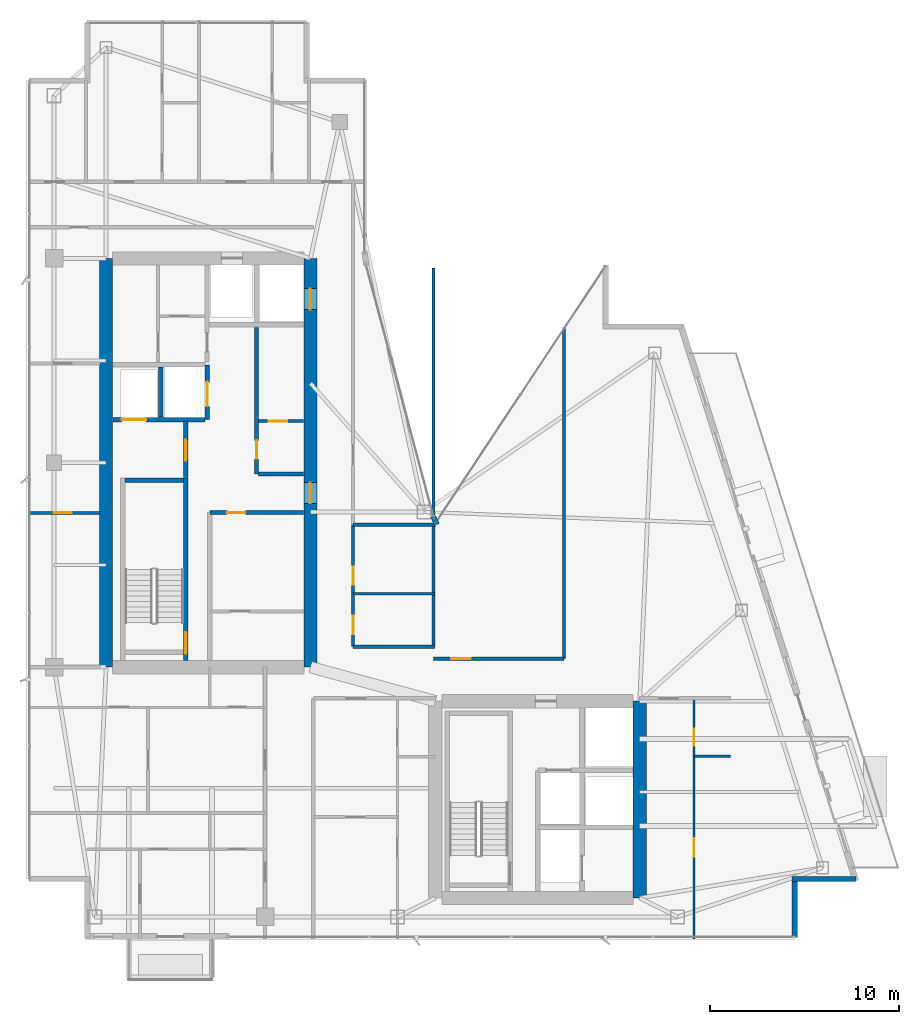
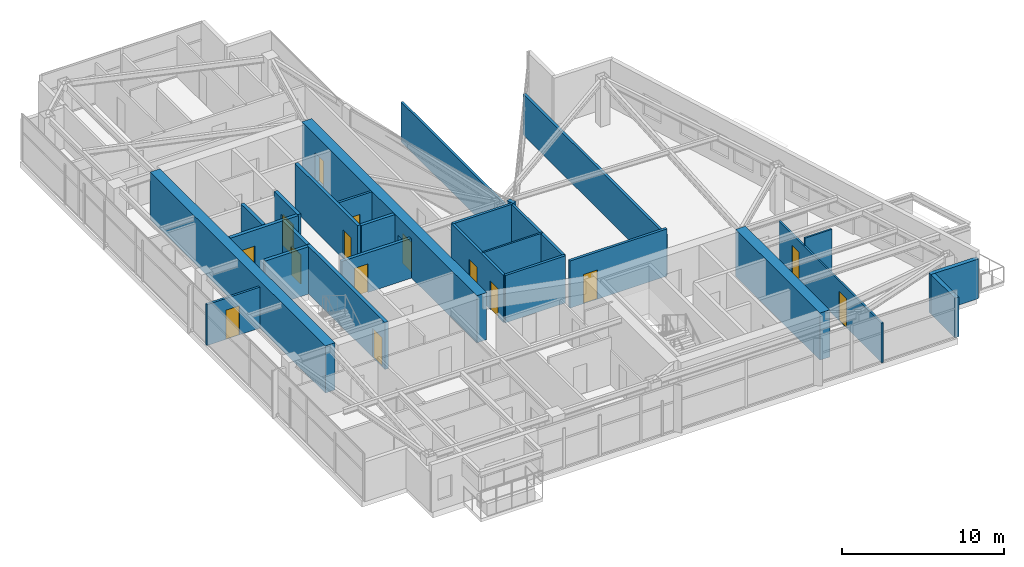
# One storey, part 24 of 28: 27 walls, 15 doors, 15 openings.
"""IFC4 building model written with IfcOpenShell, lengths in metres."""

import ifcopenshell
import ifcopenshell.guid

model = None  # the IFC model being written
_history = None  # IfcOwnerHistory: only IFC2X3 demands one
_inside = {}  # id of a spatial element -> (the spatial element, [elements in it])
_under = {}  # id of a project, library or spatial element -> (it, [spatial elements below it])
_declared = {}  # id of a project -> (the project, [libraries it declares])
_typed = {}  # id of a type object -> (the type object, [elements of that type])
_made_of = {}  # id of a material, layer set ... -> (it, [elements and type objects made of it])


def new_model(schema):
    """Start an empty IFC model of exactly this schema.

    Asked for "IFC4X3", IfcOpenShell would pick the latest addendum, in which some entities
    have other attributes; the version numbers below select the first issue.
    IFC2X3 requires an IfcOwnerHistory on every rooted entity: one is made here for all.
    """
    global model, _history
    if schema == "IFC4X3":
        model = ifcopenshell.file(schema_version=(4, 3, 0, 0))
    else:
        model = ifcopenshell.file(schema=schema)
    _inside.clear()
    _under.clear()
    _declared.clear()
    _typed.clear()
    _made_of.clear()
    _history = None
    if model.schema == "IFC2X3":
        org = make("IfcOrganization", Name="unknown")
        user = make(
            "IfcPersonAndOrganization",
            ThePerson=make("IfcPerson", FamilyName="unknown"),
            TheOrganization=org,
        )
        app = make(
            "IfcApplication",
            ApplicationDeveloper=org,
            Version="unknown",
            ApplicationFullName="unknown",
            ApplicationIdentifier="unknown",
        )
        _history = make(
            "IfcOwnerHistory",
            OwningUser=user,
            OwningApplication=app,
            ChangeAction="ADDED",
            CreationDate=0,
        )
    return model


def make(cls, **values):
    """One entity of the class cls with the attributes given. An attribute that is None is left unset."""
    return model.create_entity(
        cls, **{name: value for name, value in values.items() if value is not None}
    )


def rooted(cls, **values):
    """An entity with a GlobalId (a new one), such as an element, a storey or a relation."""
    return make(cls, GlobalId=ifcopenshell.guid.new(), OwnerHistory=_history, **values)


def si_unit(unit_type, name, prefix=None):
    """IfcSIUnit, for example si_unit("LENGTHUNIT", "METRE", prefix="MILLI")."""
    return make("IfcSIUnit", UnitType=unit_type, Prefix=prefix, Name=name)


def assignment(units):
    """IfcUnitAssignment: the units of a project."""
    return None if units is None else make("IfcUnitAssignment", Units=units)


def point(xyz):
    """IfcCartesianPoint."""
    return None if xyz is None else make("IfcCartesianPoint", Coordinates=xyz)


def direction(xyz):
    """IfcDirection."""
    return None if xyz is None else make("IfcDirection", DirectionRatios=xyz)


def frame(location, z_axis=None, x_axis=None):
    """IfcAxis2Placement3D, a coordinate frame: its origin and axes. An axis left out is left unset."""
    return make(
        "IfcAxis2Placement3D",
        Location=point(location),
        Axis=direction(z_axis),
        RefDirection=direction(x_axis),
    )


def frame_2d(location, x_axis=None):
    """IfcAxis2Placement2D, a coordinate frame in the plane: its origin and x axis."""
    return make(
        "IfcAxis2Placement2D", Location=point(location), RefDirection=direction(x_axis)
    )


def origin():
    """The frame at (0, 0, 0) with its axes left unset."""
    return frame((0.0, 0.0, 0.0))


def place(relative_to, where):
    """IfcLocalPlacement: puts the frame where relative to a parent placement (None: the world)."""
    return make(
        "IfcLocalPlacement", PlacementRelTo=relative_to, RelativePlacement=where
    )


def context(
    kind, dimensions, precision=None, world=None, true_north=None, identifier=None
):
    """IfcGeometricRepresentationContext, for example the 3D "Model" context."""
    return make(
        "IfcGeometricRepresentationContext",
        ContextIdentifier=identifier,
        ContextType=kind,
        CoordinateSpaceDimension=dimensions,
        Precision=precision,
        WorldCoordinateSystem=world,
        TrueNorth=true_north,
    )


def subcontext(parent, identifier, kind, view, scale=None):
    """IfcGeometricRepresentationSubContext, for example "Body" below "Model"."""
    return make(
        "IfcGeometricRepresentationSubContext",
        ContextIdentifier=identifier,
        ContextType=kind,
        ParentContext=parent,
        TargetScale=scale,
        TargetView=view,
    )


def project(units=None, contexts=None):
    """IfcProject with its units and contexts."""
    return rooted(
        "IfcProject",
        Name="project",
        RepresentationContexts=contexts,
        UnitsInContext=assignment(units),
    )


def spatial(cls, under=None, at=None, **own):
    """A site, building, storey or space (cls), placed at a placement, below another one or the project."""
    s = rooted(cls, ObjectPlacement=at, **own)
    if under is not None:
        _under.setdefault(under.id(), (under, []))[1].append(s)
    return s


def profile(cls, at=None, kind="AREA", **sizes):
    """A parametric profile (cls). Its sizes go by their IFC names, for example OverallWidth=200.0."""
    return make(cls, ProfileType=kind, Position=at, **sizes)


def rectangle(**sizes):
    """IfcRectangleProfileDef."""
    return profile("IfcRectangleProfileDef", **sizes)


def extrude(swept, where, along, depth):
    """IfcExtrudedAreaSolid: the profile swept, set in the frame where, extruded along a direction by depth."""
    return make(
        "IfcExtrudedAreaSolid",
        SweptArea=swept,
        Position=where,
        ExtrudedDirection=direction(along),
        Depth=depth,
    )


def shape(context_of_items, identifier, shape_type, items):
    """IfcShapeRepresentation: the items that make up one representation, for example the "Body"."""
    return make(
        "IfcShapeRepresentation",
        ContextOfItems=context_of_items,
        RepresentationIdentifier=identifier,
        RepresentationType=shape_type,
        Items=items,
    )


def material(Name=None, Category=None):
    """IfcMaterial."""
    return make("IfcMaterial", Name=Name, Category=Category)


def layer(
    of_material, thickness, ventilated=None, Name=None, Category=None, Priority=None
):
    """IfcMaterialLayer: one layer of a wall or slab, of a material (None: an air gap)."""
    return make(
        "IfcMaterialLayer",
        Material=of_material,
        LayerThickness=thickness,
        IsVentilated=ventilated,
        Name=Name,
        Category=Category,
        Priority=Priority,
    )


def layer_set(layers, Name=None):
    """IfcMaterialLayerSet."""
    return make("IfcMaterialLayerSet", MaterialLayers=layers, LayerSetName=Name)


def made_of(thing, what):
    """Note that an element or type object is made of a material, layer set ...; save() writes the relation."""
    if what is not None:
        _made_of.setdefault(what.id(), (what, []))[1].append(thing)
    return thing


def type_object(cls, material=None, **own):
    """A type object (cls), such as IfcWallType, which elements share."""
    return made_of(rooted(cls, **own), material)


def element(
    cls,
    number,
    at=None,
    inside=None,
    cuts=None,
    type_object=None,
    material=None,
    context=None,
    identifier="Body",
    shape_type=None,
    held_by="IfcProductDefinitionShape",
    body=None,
    shapes=None,
    **own,
):
    """One element of the class cls, such as IfcWall. Its Tag is "e" and its number.

    at: its placement. inside: the storey or other place that contains it. cuts: it is an
    opening in that element (IfcRelVoidsElement). A single representation is given by context,
    identifier, shape_type and body (its items); several are given by shapes. held_by: the class
    of the entity that holds the representations. save() writes the other relations.
    """
    e = rooted(cls, Tag="e%d" % number, ObjectPlacement=at, **own)
    if body is not None:
        shapes = [shape(context, identifier, shape_type, body)]
    if shapes is not None:
        e.Representation = make(held_by, Representations=shapes)
    if inside is not None:
        _inside.setdefault(inside.id(), (inside, []))[1].append(e)
    if cuts is not None:
        rooted(
            "IfcRelVoidsElement", RelatingBuildingElement=cuts, RelatedOpeningElement=e
        )
    if type_object is not None:
        _typed.setdefault(type_object.id(), (type_object, []))[1].append(e)
    return made_of(e, material)


def fill(opening, filler):
    """IfcRelFillsElement: the door or window that sits in an opening."""
    return rooted(
        "IfcRelFillsElement",
        RelatingOpeningElement=opening,
        RelatedBuildingElement=filler,
    )


def aggregate(whole, parts):
    """IfcRelAggregates: a whole, such as a stair, and the parts it consists of."""
    return rooted("IfcRelAggregates", RelatingObject=whole, RelatedObjects=parts)


def save(model, path):
    """Write the relations noted so far, then the file.

    IfcRelAggregates (storeys below a building ...), IfcRelContainedInSpatialStructure (elements
    in a storey), IfcRelDefinesByType, IfcRelAssociatesMaterial and IfcRelDeclares: one each for
    every whole, place, type object, material and project.
    """
    for whole, parts in _under.values():
        aggregate(whole, parts)
    for where, things in _inside.values():
        rooted(
            "IfcRelContainedInSpatialStructure",
            RelatedElements=things,
            RelatingStructure=where,
        )
    for kind, things in _typed.values():
        rooted("IfcRelDefinesByType", RelatedObjects=things, RelatingType=kind)
    for what, things in _made_of.values():
        rooted("IfcRelAssociatesMaterial", RelatedObjects=things, RelatingMaterial=what)
    for by, libraries in _declared.values():
        rooted("IfcRelDeclares", RelatingContext=by, RelatedDefinitions=libraries)
    model.write(path)


model = new_model("IFC4")

# Units and contexts
model_context = context("Model", 3, precision=1e-05, world=origin(), true_north=direction((0.0, 1.0)))
body_context = subcontext(model_context, "Body", "Model", "MODEL_VIEW")
ifc_project = project(units=[si_unit("LENGTHUNIT", "METRE"), si_unit("AREAUNIT", "SQUARE_METRE"), si_unit("VOLUMEUNIT", "CUBIC_METRE"), si_unit("PLANEANGLEUNIT", "RADIAN"), si_unit("MASSUNIT", "GRAM", prefix="KILO")], contexts=[model_context])

# Site, building, storey
site_placement = place(None, origin())
site = spatial("IfcSite", under=ifc_project, at=site_placement, CompositionType="ELEMENT")
building_placement = place(site_placement, origin())
building = spatial("IfcBuilding", under=site, at=building_placement, Name="Calvorn Quay Hotel", CompositionType="ELEMENT")
storey_placement = place(building_placement, frame((0.0, 0.0, 263.5)))
storey = spatial("IfcBuildingStorey", under=building, at=storey_placement, Name="L65", CompositionType="ELEMENT", Elevation=263.5)

# Wall
ifc_material_1 = material(Name="Concrete C45", Category="concrete")
ifc_layer_1 = layer(ifc_material_1, 0.699951171875)
ifc_layer_set_1 = layer_set([ifc_layer_1], Name="WL-CORE-700")
wall_type_1 = type_object("IfcWallType", Name="WL-CORE-700", PredefinedType="SHEAR", material=ifc_layer_set_1)
wall_1_placement = place(storey_placement, frame((4.199951171875, 16.800048828125, 0.0), z_axis=(0.0, 0.0, 1.0), x_axis=(0.0, 1.0, 0.0)))
element("IfcWall", 1, at=wall_1_placement, inside=storey, type_object=wall_type_1, Name="West Core Shear Wall W (L65)", PredefinedType="SHEAR", context=body_context, shape_type="SweptSolid", body=[
    extrude(rectangle(XDim=21.599853515625, YDim=0.699951171875, at=frame_2d((10.7998046875, 0.0))), origin(), (0.0, 0.0, 1.0), 3.56005859375),
])

# Wall, openings, doors
wall_2_placement = place(storey_placement, frame((15.0, 16.800048828125, 0.0), z_axis=(0.0, 0.0, 1.0), x_axis=(0.0, 1.0, 0.0)))
wall_2 = element("IfcWall", 2, at=wall_2_placement, inside=storey, type_object=wall_type_1, Name="West Core Shear Wall E (L65)", PredefinedType="SHEAR", context=body_context, shape_type="SweptSolid", body=[
    extrude(rectangle(XDim=21.599853515625, YDim=0.699951171875, at=frame_2d((10.7998046875, 0.0))), origin(), (0.0, 0.0, 1.0), 3.56005859375),
])
opening_1_placement = place(wall_2_placement, frame((8.64990234375, 0.0, 0.0)))
opening_1 = element("IfcOpeningElement", 3, at=opening_1_placement, cuts=wall_2, Name="Opening D-L65-CW1", PredefinedType="OPENING", context=body_context, shape_type="SweptSolid", body=[
    extrude(rectangle(XDim=1.10009765625, YDim=2.199951171875, at=frame_2d((0.550048828125, 1.10009765625))), frame((0.0, 0.35986328125, 0.0), z_axis=(0.0, -1.0, 0.0), x_axis=(1.0, 0.0, 0.0)), (0.0, 0.0, 1.0), 0.719970703125),
])
opening_2_placement = place(wall_2_placement, frame((18.89990234375, 0.0, 0.0)))
opening_2 = element("IfcOpeningElement", 4, at=opening_2_placement, cuts=wall_2, Name="Opening LD-L65-H1", PredefinedType="OPENING", context=body_context, shape_type="SweptSolid", body=[
    extrude(rectangle(XDim=1.10009765625, YDim=2.199951171875, at=frame_2d((0.550048828125, 1.10009765625))), frame((0.0, 0.35986328125, 0.0), z_axis=(0.0, -1.0, 0.0), x_axis=(1.0, 0.0, 0.0)), (0.0, 0.0, 1.0), 0.719970703125),
])
ifc_material_2 = material(Name="Smoke-Sealed Steel Class A Fire Door", Category="steel")
door_type_1 = type_object("IfcDoorType", Name="DR-FFLOBBY-1100", OperationType="NOTDEFINED", PredefinedType="DOOR", material=ifc_material_2)
door_1_placement = place(opening_1_placement, origin())
door_1 = element("IfcDoor", 5, at=door_1_placement, inside=storey, type_object=door_type_1, Name="West Core Vestibule Fire Door (L65)", OperationType="SINGLE_SWING_RIGHT", OverallHeight=2.199951171875, OverallWidth=1.10009765625, PredefinedType="DOOR", context=body_context, shape_type="SweptSolid", body=[
    extrude(rectangle(XDim=1.10009765625, YDim=2.199951171875, at=frame_2d((0.550048828125, 1.10009765625))), frame((0.0, 0.02490234375, 0.0), z_axis=(0.0, -1.0, 0.0), x_axis=(1.0, 0.0, 0.0)), (0.0, 0.0, 1.0), 0.050048828125),
])
fill(opening_1, door_1)
ifc_material_3 = material(Name="Brushed Stainless Steel Sliding Lift Landing Door", Category="steel")
door_type_2 = type_object("IfcDoorType", Name="DR-LIFT-PASS-1100", OperationType="NOTDEFINED", PredefinedType="DOOR", material=ifc_material_3)
door_2_placement = place(opening_2_placement, origin())
door_2 = element("IfcDoor", 6, at=door_2_placement, inside=storey, type_object=door_type_2, Name="High-Rise Lift PL-H1 Landing Door (L65)", OperationType="DOUBLE_DOOR_SLIDING", OverallHeight=2.199951171875, OverallWidth=1.10009765625, PredefinedType="DOOR", context=body_context, shape_type="SweptSolid", body=[
    extrude(rectangle(XDim=1.10009765625, YDim=2.199951171875, at=frame_2d((0.550048828125, 1.10009765625))), frame((0.0, 0.02490234375, 0.0), z_axis=(0.0, -1.0, 0.0), x_axis=(1.0, 0.0, 0.0)), (0.0, 0.0, 1.0), 0.050048828125),
])
fill(opening_2, door_2)

# Walls
wall_3_placement = place(storey_placement, frame((32.39990234375, 4.60009765625, 0.0), z_axis=(0.0, 0.0, 1.0), x_axis=(0.0, 1.0, 0.0)))
element("IfcWall", 7, at=wall_3_placement, inside=storey, type_object=wall_type_1, Name="East Core Shear Wall E (L65)", PredefinedType="SHEAR", context=body_context, shape_type="SweptSolid", body=[
    extrude(rectangle(XDim=10.39990234375, YDim=0.699951171875, at=frame_2d((5.199951171875, 0.0))), origin(), (0.0, 0.0, 1.0), 3.56005859375),
])
ifc_material_4 = material(Name="Acoustic Fireboard Steel-Stud Partition", Category="steel")
ifc_layer_2 = layer(ifc_material_4, 0.179931640625)
ifc_layer_set_2 = layer_set([ifc_layer_2], Name="WL-CORR-FIRE-180")
wall_type_2 = type_object("IfcWallType", Name="WL-CORR-FIRE-180", PredefinedType="PARTITIONING", material=ifc_layer_set_2)
wall_4_placement = place(storey_placement, frame((17.25, 17.8798828125, 0.0), z_axis=(0.0, 0.0, 1.0), x_axis=(1.0, 0.0, 0.0)))
element("IfcWall", 8, at=wall_4_placement, inside=storey, type_object=wall_type_2, Name="Partition Wall L65-WL-HK-S", PredefinedType="PARTITIONING", context=body_context, shape_type="SweptSolid", body=[
    extrude(rectangle(XDim=4.300048828125, YDim=0.179931640625, at=frame_2d((2.14990234375, 0.0))), origin(), (0.0, 0.0, 1.0), 3.56005859375),
])
wall_5_placement = place(storey_placement, frame((17.25, 24.320068359375, 0.0), z_axis=(0.0, 0.0, 1.0), x_axis=(1.0, 0.0, 0.0)))
element("IfcWall", 9, at=wall_5_placement, inside=storey, type_object=wall_type_2, Name="Partition Wall L65-WL-HK-N", PredefinedType="PARTITIONING", context=body_context, shape_type="SweptSolid", body=[
    extrude(rectangle(XDim=4.35009765625, YDim=0.179931640625, at=frame_2d((2.175048828125, 0.0))), origin(), (0.0, 0.0, 1.0), 3.56005859375),
])
wall_6_placement = place(storey_placement, frame((21.5, 17.8798828125, 0.0), z_axis=(0.0, 0.0, 1.0), x_axis=(0.0, 1.0, 0.0)))
element("IfcWall", 10, at=wall_6_placement, inside=storey, type_object=wall_type_2, Name="Partition Wall L65-WL-HK-E", PredefinedType="PARTITIONING", context=body_context, shape_type="SweptSolid", body=[
    extrude(rectangle(XDim=6.440185546875, YDim=0.179931640625, at=frame_2d((3.22021484375, 0.0))), origin(), (0.0, 0.0, 1.0), 3.56005859375),
])

# Wall, openings, doors
wall_7_placement = place(storey_placement, frame((17.25, 17.8798828125, 0.0), z_axis=(0.0, 0.0, 1.0), x_axis=(0.0, 1.0, 0.0)))
wall_7 = element("IfcWall", 11, at=wall_7_placement, inside=storey, type_object=wall_type_2, Name="Partition Wall L65-WL-HK-W", PredefinedType="PARTITIONING", context=body_context, shape_type="SweptSolid", body=[
    extrude(rectangle(XDim=6.440185546875, YDim=0.179931640625, at=frame_2d((3.22021484375, 0.0))), origin(), (0.0, 0.0, 1.0), 3.56005859375),
])
opening_3_placement = place(wall_7_placement, frame((0.64990234375, 0.0, 0.0)))
opening_3 = element("IfcOpeningElement", 12, at=opening_3_placement, cuts=wall_7, Name="Opening D-L65-HK", PredefinedType="OPENING", context=body_context, shape_type="SweptSolid", body=[
    extrude(rectangle(XDim=0.97998046875, YDim=2.14990234375, at=frame_2d((0.489990234375, 1.074951171875))), frame((0.0, 0.099853515625, 0.0), z_axis=(0.0, -1.0, 0.0), x_axis=(1.0, 0.0, 0.0)), (0.0, 0.0, 1.0), 0.199951171875),
])
opening_4_placement = place(wall_7_placement, frame((3.27001953125, 0.0, 0.0)))
opening_4 = element("IfcOpeningElement", 13, at=opening_4_placement, cuts=wall_7, Name="Opening D-L65-NCP", PredefinedType="OPENING", context=body_context, shape_type="SweptSolid", body=[
    extrude(rectangle(XDim=0.9599609375, YDim=2.199951171875, at=frame_2d((0.47998046875, 1.10009765625))), frame((0.0, 0.099853515625, 0.0), z_axis=(0.0, -1.0, 0.0), x_axis=(1.0, 0.0, 0.0)), (0.0, 0.0, 1.0), 0.199951171875),
])
ifc_material_5 = material(Name="Painted Steel Housekeeping/Riser Fire Door", Category="steel")
door_type_3 = type_object("IfcDoorType", Name="DR-SERVICE-980", OperationType="NOTDEFINED", PredefinedType="DOOR", material=ifc_material_5)
door_3_placement = place(opening_3_placement, origin())
door_3 = element("IfcDoor", 14, at=door_3_placement, inside=storey, type_object=door_type_3, Name="Floor Housekeeping Door (L65)", OperationType="SINGLE_SWING_LEFT", OverallHeight=2.14990234375, OverallWidth=0.97998046875, PredefinedType="DOOR", context=body_context, shape_type="SweptSolid", body=[
    extrude(rectangle(XDim=0.97998046875, YDim=2.14990234375, at=frame_2d((0.489990234375, 1.074951171875))), frame((0.0, 0.02490234375, 0.0), z_axis=(0.0, -1.0, 0.0), x_axis=(1.0, 0.0, 0.0)), (0.0, 0.0, 1.0), 0.050048828125),
])
fill(opening_3, door_3)
ifc_material_6 = material(Name="Solid Timber Internal Suite Door", Category="wood")
door_type_4 = type_object("IfcDoorType", Name="DR-SUITE-INT-960", OperationType="NOTDEFINED", PredefinedType="DOOR", material=ifc_material_6)
door_4_placement = place(opening_4_placement, origin())
door_4 = element("IfcDoor", 15, at=door_4_placement, inside=storey, type_object=door_type_4, Name="Reading Alcove Door (L65)", OperationType="SINGLE_SWING_RIGHT", OverallHeight=2.199951171875, OverallWidth=0.9599609375, PredefinedType="DOOR", context=body_context, shape_type="SweptSolid", body=[
    extrude(rectangle(XDim=0.9599609375, YDim=2.199951171875, at=frame_2d((0.47998046875, 1.10009765625))), frame((0.0, 0.02490234375, 0.0), z_axis=(0.0, -1.0, 0.0), x_axis=(1.0, 0.0, 0.0)), (0.0, 0.0, 1.0), 0.050048828125),
])
fill(opening_4, door_4)

# Wall, opening, door
wall_8_placement = place(storey_placement, frame((21.5, 17.25, 0.0), z_axis=(0.0, 0.0, 1.0), x_axis=(1.0, 0.0, 0.0)))
wall_8 = element("IfcWall", 16, at=wall_8_placement, inside=storey, type_object=wall_type_2, Name="Partition Wall L65-WL-CORR-NE-N", PredefinedType="PARTITIONING", context=body_context, shape_type="SweptSolid", body=[
    extrude(rectangle(XDim=6.89990234375, YDim=0.179931640625, at=frame_2d((3.449951171875, 0.0))), origin(), (0.0, 0.0, 1.0), 3.56005859375),
])
opening_5_placement = place(wall_8_placement, frame((0.949951171875, 0.0, 0.0)))
opening_5 = element("IfcOpeningElement", 17, at=opening_5_placement, cuts=wall_8, Name="Opening D-L65-NS1", PredefinedType="OPENING", context=body_context, shape_type="SweptSolid", body=[
    extrude(rectangle(XDim=1.02001953125, YDim=2.199951171875, at=frame_2d((0.510009765625, 1.10009765625))), frame((0.0, 0.099853515625, 0.0), z_axis=(0.0, -1.0, 0.0), x_axis=(1.0, 0.0, 0.0)), (0.0, 0.0, 1.0), 0.199951171875),
])
ifc_material_7 = material(Name="Solid-Core Walnut Veneer Hotel Fire Door")
door_type_5 = type_object("IfcDoorType", Name="DR-GUEST-ENTRY-1020", OperationType="NOTDEFINED", PredefinedType="DOOR", material=ifc_material_7)
door_5_placement = place(opening_5_placement, origin())
door_5 = element("IfcDoor", 18, at=door_5_placement, inside=storey, type_object=door_type_5, Name="Conservatory Salon Door 1 (L65)", OperationType="SINGLE_SWING_RIGHT", OverallHeight=2.199951171875, OverallWidth=1.02001953125, PredefinedType="DOOR", context=body_context, shape_type="SweptSolid", body=[
    extrude(rectangle(XDim=1.02001953125, YDim=2.199951171875, at=frame_2d((0.510009765625, 1.10009765625))), frame((0.0, 0.02490234375, 0.0), z_axis=(0.0, -1.0, 0.0), x_axis=(1.0, 0.0, 0.0)), (0.0, 0.0, 1.0), 0.050048828125),
])
fill(opening_5, door_5)

# Walls
wall_9_placement = place(storey_placement, frame((28.39990234375, 17.25, 0.0), z_axis=(0.0, 0.0, 1.0), x_axis=(0.0, 1.0, 0.0)))
element("IfcWall", 19, at=wall_9_placement, inside=storey, type_object=wall_type_2, Name="Partition Wall L65-WL-NE-END-E", PredefinedType="PARTITIONING", context=body_context, shape_type="SweptSolid", body=[
    extrude(rectangle(XDim=17.510009765625, YDim=0.179931640625, at=frame_2d((8.7548828125, 0.0))), origin(), (0.0, 0.0, 1.0), 3.090087890625),
])
ifc_material_8 = material(Name="Moisture-Resistant Tile-Backed Partition")
ifc_layer_3 = layer(ifc_material_8, 0.125)
ifc_layer_set_3 = layer_set([ifc_layer_3], Name="WL-ENSUITE-125")
wall_type_3 = type_object("IfcWallType", Name="WL-ENSUITE-125", PredefinedType="PARTITIONING", material=ifc_layer_set_3)
wall_10_placement = place(storey_placement, frame((17.25, 20.679931640625, 0.0), z_axis=(0.0, 0.0, 1.0), x_axis=(1.0, 0.0, 0.0)))
element("IfcWall", 20, at=wall_10_placement, inside=storey, type_object=wall_type_3, Name="Partition Wall L65-WL-HK-M", PredefinedType="PARTITIONING", context=body_context, shape_type="SweptSolid", body=[
    extrude(rectangle(XDim=4.300048828125, YDim=0.125, at=frame_2d((2.14990234375, 0.0))), origin(), (0.0, 0.0, 1.0), 3.56005859375),
])
wall_11_placement = place(storey_placement, frame((35.27001953125, 12.10009765625, 0.0), z_axis=(0.0, 0.0, 1.0), x_axis=(1.0, 0.0, 0.0)))
element("IfcWall", 21, at=wall_11_placement, inside=storey, type_object=wall_type_3, Name="Partition Wall L65-WL-U06-BDV", PredefinedType="PARTITIONING", context=body_context, shape_type="SweptSolid", body=[
    extrude(rectangle(XDim=1.929931640625, YDim=0.125, at=frame_2d((0.96484375, 0.0))), origin(), (0.0, 0.0, 1.0), 3.56005859375),
])

# Wall, openings, doors
wall_12_placement = place(storey_placement, frame((35.27001953125, 2.43994140625, 0.0), z_axis=(0.0, 0.0, 1.0), x_axis=(0.0, 1.0, 0.0)))
wall_12 = element("IfcWall", 22, at=wall_12_placement, inside=storey, type_object=wall_type_3, Name="Partition Wall L65-WL-U06-BV", PredefinedType="PARTITIONING", context=body_context, shape_type="SweptSolid", body=[
    extrude(rectangle(XDim=12.7099609375, YDim=0.125, at=frame_2d((6.35498046875, 0.0))), origin(), (0.0, 0.0, 1.0), 2.989990234375),
])
opening_6_placement = place(wall_12_placement, frame((4.35009765625, 0.0, 0.0)))
opening_6 = element("IfcOpeningElement", 23, at=opening_6_placement, cuts=wall_12, Name="Opening D-L65-S06", PredefinedType="OPENING", context=body_context, shape_type="SweptSolid", body=[
    extrude(rectangle(XDim=0.9599609375, YDim=2.199951171875, at=frame_2d((0.47998046875, 1.10009765625))), frame((0.0, 0.072509765625, 0.0), z_axis=(0.0, -1.0, 0.0), x_axis=(1.0, 0.0, 0.0)), (0.0, 0.0, 1.0), 0.14501953125),
])
opening_7_placement = place(wall_12_placement, frame((10.2099609375, 0.0, 0.0)))
opening_7 = element("IfcOpeningElement", 24, at=opening_7_placement, cuts=wall_12, Name="Opening D-L65-E06", PredefinedType="OPENING", context=body_context, shape_type="SweptSolid", body=[
    extrude(rectangle(XDim=0.89990234375, YDim=2.14990234375, at=frame_2d((0.449951171875, 1.074951171875))), frame((0.0, 0.072509765625, 0.0), z_axis=(0.0, -1.0, 0.0), x_axis=(1.0, 0.0, 0.0)), (0.0, 0.0, 1.0), 0.14501953125),
])
ifc_material_9 = material(Name="Moisture-Sealed Timber En-Suite Door", Category="wood")
door_type_6 = type_object("IfcDoorType", Name="DR-ENSUITE-900", OperationType="NOTDEFINED", PredefinedType="DOOR", material=ifc_material_9)
door_6_placement = place(opening_7_placement, origin())
door_6 = element("IfcDoor", 25, at=door_6_placement, inside=storey, type_object=door_type_6, Name="En-Suite Door 06", OperationType="SINGLE_SWING_RIGHT", OverallHeight=2.14990234375, OverallWidth=0.89990234375, PredefinedType="DOOR", context=body_context, shape_type="SweptSolid", body=[
    extrude(rectangle(XDim=0.89990234375, YDim=2.14990234375, at=frame_2d((0.449951171875, 1.074951171875))), frame((0.0, 0.02490234375, 0.0), z_axis=(0.0, -1.0, 0.0), x_axis=(1.0, 0.0, 0.0)), (0.0, 0.0, 1.0), 0.050048828125),
])
fill(opening_7, door_6)
door_7_placement = place(opening_6_placement, origin())
door_7 = element("IfcDoor", 26, at=door_7_placement, inside=storey, type_object=door_type_4, Name="Harbour Dining Den Door 06", OperationType="SINGLE_SWING_LEFT", OverallHeight=2.199951171875, OverallWidth=0.9599609375, PredefinedType="DOOR", context=body_context, shape_type="SweptSolid", body=[
    extrude(rectangle(XDim=0.9599609375, YDim=2.199951171875, at=frame_2d((0.47998046875, 1.10009765625))), frame((0.0, 0.02490234375, 0.0), z_axis=(0.0, -1.0, 0.0), x_axis=(1.0, 0.0, 0.0)), (0.0, 0.0, 1.0), 0.050048828125),
])
fill(opening_6, door_7)

# Walls
ifc_material_10 = material(Name="Concrete C40", Category="concrete")
ifc_layer_4 = layer(ifc_material_10, 0.320068359375)
ifc_layer_set_4 = layer_set([ifc_layer_4], Name="WL-EXT-SPANDREL-320")
wall_type_4 = type_object("IfcWallType", Name="WL-EXT-SPANDREL-320", PredefinedType="SOLIDWALL", material=ifc_layer_set_4)
wall_13_placement = place(storey_placement, frame((21.679931640625, 24.340087890625, 0.0), z_axis=(0.0, 0.0, 1.0), x_axis=(-0.40758134973, 0.913168901875, 0.0)))
element("IfcWall", 27, at=wall_13_placement, inside=storey, type_object=wall_type_4, Name="Inner Court Corner Pier L65-ICJ1", PredefinedType="SOLIDWALL", context=body_context, shape_type="SweptSolid", body=[
    extrude(rectangle(XDim=0.470703125, YDim=0.280029296875, at=frame_2d((0.2353515625, 0.0))), origin(), (0.0, 0.0, 1.0), 3.56005859375),
])
wall_14_placement = place(storey_placement, frame((40.60009765625, 2.52001953125, 0.0), z_axis=(0.0, 0.0, 1.0), x_axis=(0.0, 1.0, 0.0)))
element("IfcWall", 28, at=wall_14_placement, inside=storey, type_object=wall_type_4, Name="Notched Corner Spandrel L65-SE1", PredefinedType="SOLIDWALL", context=body_context, shape_type="SweptSolid", body=[
    extrude(rectangle(XDim=2.93994140625, YDim=0.280029296875, at=frame_2d((1.469970703125, 0.0))), origin(), (0.0, 0.0, 1.0), 2.989990234375),
])
wall_15_placement = place(storey_placement, frame((40.4599609375, 5.60009765625, 0.0), z_axis=(0.0, 0.0, 1.0), x_axis=(1.0, 0.0, 0.0)))
element("IfcWall", 29, at=wall_15_placement, inside=storey, type_object=wall_type_4, Name="Notched Corner Spandrel L65-SE2", PredefinedType="SOLIDWALL", context=body_context, shape_type="SweptSolid", body=[
    extrude(rectangle(XDim=3.380126953125, YDim=0.280029296875, at=frame_2d((1.68994140625, 0.0))), origin(), (0.0, 0.0, 1.0), 2.989990234375),
])

# Wall, opening, door
ifc_material_11 = material(Name="Double-Stud Acoustic Gypsum Partition")
ifc_layer_5 = layer(ifc_material_11, 0.159912109375)
ifc_layer_set_5 = layer_set([ifc_layer_5], Name="WL-INTERSUITE-160")
wall_type_5 = type_object("IfcWallType", Name="WL-INTERSUITE-160", PredefinedType="PARTITIONING", material=ifc_layer_set_5)
wall_16_placement = place(storey_placement, frame((12.25, 29.800048828125, 0.0), z_axis=(0.0, 0.0, 1.0), x_axis=(1.0, 0.0, 0.0)))
wall_16 = element("IfcWall", 30, at=wall_16_placement, inside=storey, type_object=wall_type_5, Name="Partition Wall L65-WL-CWW-FM-SPLIT", PredefinedType="PARTITIONING", context=body_context, shape_type="SweptSolid", body=[
    extrude(rectangle(XDim=2.3798828125, YDim=0.159912109375, at=frame_2d((1.18994140625, 0.0))), origin(), (0.0, 0.0, 1.0), 3.56005859375),
])
opening_8_placement = place(wall_16_placement, frame((0.550048828125, 0.0, 0.0)))
opening_8 = element("IfcOpeningElement", 31, at=opening_8_placement, cuts=wall_16, Name="Opening D-L65-FM2", PredefinedType="OPENING", context=body_context, shape_type="SweptSolid", body=[
    extrude(rectangle(XDim=0.97998046875, YDim=2.14990234375, at=frame_2d((0.489990234375, 1.074951171875))), frame((0.0, 0.08984375, 0.0), z_axis=(0.0, -1.0, 0.0), x_axis=(1.0, 0.0, 0.0)), (0.0, 0.0, 1.0), 0.179931640625),
])
door_8_placement = place(opening_8_placement, origin())
door_8 = element("IfcDoor", 32, at=door_8_placement, inside=storey, type_object=door_type_3, Name="Comms Room Door (L65)", OperationType="SINGLE_SWING_LEFT", OverallHeight=2.14990234375, OverallWidth=0.97998046875, PredefinedType="DOOR", context=body_context, shape_type="SweptSolid", body=[
    extrude(rectangle(XDim=0.97998046875, YDim=2.14990234375, at=frame_2d((0.489990234375, 1.074951171875))), frame((0.0, 0.02490234375, 0.0), z_axis=(0.0, -1.0, 0.0), x_axis=(1.0, 0.0, 0.0)), (0.0, 0.0, 1.0), 0.050048828125),
])
fill(opening_8, door_8)

wall_17_placement = place(storey_placement, frame((0.080078125, 24.949951171875, 0.0), z_axis=(0.0, 0.0, 1.0), x_axis=(1.0, 0.0, 0.0)))
wall_17 = element("IfcWall", 33, at=wall_17_placement, inside=storey, type_object=wall_type_5, Name="Partition Wall L65-WL-WBAY-DIVA", PredefinedType="PARTITIONING", context=body_context, shape_type="SweptSolid", body=[
    extrude(rectangle(XDim=3.7998046875, YDim=0.159912109375, at=frame_2d((1.89990234375, 0.0))), origin(), (0.0, 0.0, 1.0), 3.090087890625),
])
opening_9_placement = place(wall_17_placement, frame((1.35009765625, 0.0, 0.0)))
opening_9 = element("IfcOpeningElement", 34, at=opening_9_placement, cuts=wall_17, Name="Opening D-L65-WBA", PredefinedType="OPENING", context=body_context, shape_type="SweptSolid", body=[
    extrude(rectangle(XDim=0.9599609375, YDim=2.199951171875, at=frame_2d((0.47998046875, 1.10009765625))), frame((0.0, 0.08984375, 0.0), z_axis=(0.0, -1.0, 0.0), x_axis=(1.0, 0.0, 0.0)), (0.0, 0.0, 1.0), 0.179931640625),
])
door_9_placement = place(opening_9_placement, origin())
door_9 = element("IfcDoor", 35, at=door_9_placement, inside=storey, type_object=door_type_4, Name="West South Connecting Door (L65)", OperationType="SINGLE_SWING_LEFT", OverallHeight=2.199951171875, OverallWidth=0.9599609375, PredefinedType="DOOR", context=body_context, shape_type="SweptSolid", body=[
    extrude(rectangle(XDim=0.9599609375, YDim=2.199951171875, at=frame_2d((0.47998046875, 1.10009765625))), frame((0.0, 0.02490234375, 0.0), z_axis=(0.0, -1.0, 0.0), x_axis=(1.0, 0.0, 0.0)), (0.0, 0.0, 1.0), 0.050048828125),
])
fill(opening_9, door_9)

# Wall
wall_18_placement = place(storey_placement, frame((21.5, 24.85009765625, 0.0), z_axis=(0.0, 0.0, 1.0), x_axis=(0.0, 1.0, 0.0)))
element("IfcWall", 36, at=wall_18_placement, inside=storey, type_object=wall_type_5, Name="Partition Wall L65-WL-NC-UPPER-E", PredefinedType="PARTITIONING", context=body_context, shape_type="SweptSolid", body=[
    extrude(rectangle(XDim=13.0498046875, YDim=0.159912109375, at=frame_2d((6.52490234375, 0.0))), origin(), (0.0, 0.0, 1.0), 2.989990234375),
])

# Wall, opening, door
ifc_material_12 = material(Name="Autoclaved Aerated Masonry Block", Category="masonry")
ifc_layer_6 = layer(ifc_material_12, 0.219970703125)
ifc_layer_set_6 = layer_set([ifc_layer_6], Name="WL-LOBBY-FIRE-220")
wall_type_6 = type_object("IfcWallType", Name="WL-LOBBY-FIRE-220", PredefinedType="SOLIDWALL", material=ifc_layer_set_6)
wall_19_placement = place(storey_placement, frame((9.679931640625, 24.969970703125, 0.0), z_axis=(0.0, 0.0, 1.0), x_axis=(1.0, 0.0, 0.0)))
wall_19 = element("IfcWall", 37, at=wall_19_placement, inside=storey, type_object=wall_type_6, Name="Partition Wall L65-WL-CWW-FR-N", PredefinedType="SOLIDWALL", context=body_context, shape_type="SweptSolid", body=[
    extrude(rectangle(XDim=4.949951171875, YDim=0.219970703125, at=frame_2d((2.47509765625, 0.0))), origin(), (0.0, 0.0, 1.0), 2.989990234375),
])
opening_10_placement = place(wall_19_placement, frame((0.89990234375, 0.0, 0.0)))
opening_10 = element("IfcOpeningElement", 38, at=opening_10_placement, cuts=wall_19, Name="Opening D-L65-FRL2", PredefinedType="OPENING", context=body_context, shape_type="SweptSolid", body=[
    extrude(rectangle(XDim=0.97998046875, YDim=2.14990234375, at=frame_2d((0.489990234375, 1.074951171875))), frame((0.0, 0.119873046875, 0.0), z_axis=(0.0, -1.0, 0.0), x_axis=(1.0, 0.0, 0.0)), (0.0, 0.0, 1.0), 0.239990234375),
])
door_10_placement = place(opening_10_placement, origin())
door_10 = element("IfcDoor", 39, at=door_10_placement, inside=storey, type_object=door_type_3, Name="Beverage Pantry Door (L65)", OperationType="SINGLE_SWING_RIGHT", OverallHeight=2.14990234375, OverallWidth=0.97998046875, PredefinedType="DOOR", context=body_context, shape_type="SweptSolid", body=[
    extrude(rectangle(XDim=0.97998046875, YDim=2.14990234375, at=frame_2d((0.489990234375, 1.074951171875))), frame((0.0, 0.02490234375, 0.0), z_axis=(0.0, -1.0, 0.0), x_axis=(1.0, 0.0, 0.0)), (0.0, 0.0, 1.0), 0.050048828125),
])
fill(opening_10, door_10)

# Wall
wall_20_placement = place(storey_placement, frame((12.25, 27.0, 0.0), z_axis=(0.0, 0.0, 1.0), x_axis=(1.0, 0.0, 0.0)))
element("IfcWall", 40, at=wall_20_placement, inside=storey, type_object=wall_type_6, Name="Partition Wall L65-WL-CWW-FM-S", PredefinedType="SOLIDWALL", context=body_context, shape_type="SweptSolid", body=[
    extrude(rectangle(XDim=2.3798828125, YDim=0.219970703125, at=frame_2d((1.18994140625, 0.0))), origin(), (0.0, 0.0, 1.0), 3.56005859375),
])

# Wall, opening, door
wall_21_placement = place(storey_placement, frame((12.14990234375, 27.0, 0.0), z_axis=(0.0, 0.0, 1.0), x_axis=(0.0, 1.0, 0.0)))
wall_21 = element("IfcWall", 41, at=wall_21_placement, inside=storey, type_object=wall_type_6, Name="Partition Wall L65-WL-CWW-FM-W", PredefinedType="SOLIDWALL", context=body_context, shape_type="SweptSolid", body=[
    extrude(rectangle(XDim=7.75, YDim=0.219970703125, at=frame_2d((3.875, 0.0))), origin(), (0.0, 0.0, 1.0), 3.56005859375),
])
opening_11_placement = place(wall_21_placement, frame((0.800048828125, 0.0, 0.0)))
opening_11 = element("IfcOpeningElement", 42, at=opening_11_placement, cuts=wall_21, Name="Opening D-L65-FM1", PredefinedType="OPENING", context=body_context, shape_type="SweptSolid", body=[
    extrude(rectangle(XDim=0.97998046875, YDim=2.14990234375, at=frame_2d((0.489990234375, 1.074951171875))), frame((0.0, 0.119873046875, 0.0), z_axis=(0.0, -1.0, 0.0), x_axis=(1.0, 0.0, 0.0)), (0.0, 0.0, 1.0), 0.239990234375),
])
door_11_placement = place(opening_11_placement, origin())
door_11 = element("IfcDoor", 43, at=door_11_placement, inside=storey, type_object=door_type_3, Name="Butler Pantry Door (L65)", OperationType="SINGLE_SWING_RIGHT", OverallHeight=2.14990234375, OverallWidth=0.97998046875, PredefinedType="DOOR", context=body_context, shape_type="SweptSolid", body=[
    extrude(rectangle(XDim=0.97998046875, YDim=2.14990234375, at=frame_2d((0.489990234375, 1.074951171875))), frame((0.0, 0.02490234375, 0.0), z_axis=(0.0, -1.0, 0.0), x_axis=(1.0, 0.0, 0.0)), (0.0, 0.0, 1.0), 0.050048828125),
])
fill(opening_11, door_11)

ifc_material_13 = material(Name="Concrete C40", Category="concrete")
ifc_layer_7 = layer(ifc_material_13, 0.239990234375)
ifc_layer_set_7 = layer_set([ifc_layer_7], Name="WL-SHAFT-240")
wall_type_7 = type_object("IfcWallType", Name="WL-SHAFT-240", PredefinedType="SOLIDWALL", material=ifc_layer_set_7)
wall_22_placement = place(storey_placement, frame((8.419921875, 17.14990234375, 0.0), z_axis=(0.0, 0.0, 1.0), x_axis=(0.0, 1.0, 0.0)))
wall_22 = element("IfcWall", 44, at=wall_22_placement, inside=storey, type_object=wall_type_7, Name="Stair STW Shaft Wall E (L65)", PredefinedType="SOLIDWALL", context=body_context, shape_type="SweptSolid", body=[
    extrude(rectangle(XDim=9.64013671875, YDim=0.239990234375, at=frame_2d((4.820068359375, 0.0))), origin(), (0.0, 0.0, 1.0), 3.56005859375),
])
opening_12_placement = place(wall_22_placement, frame((0.35009765625, 0.0, 0.0)))
opening_12 = element("IfcOpeningElement", 45, at=opening_12_placement, cuts=wall_22, Name="Opening D-L65-STW", PredefinedType="OPENING", context=body_context, shape_type="SweptSolid", body=[
    extrude(rectangle(XDim=1.14990234375, YDim=2.199951171875, at=frame_2d((0.574951171875, 1.10009765625))), frame((0.0, 0.1298828125, 0.0), z_axis=(0.0, -1.0, 0.0), x_axis=(1.0, 0.0, 0.0)), (0.0, 0.0, 1.0), 0.260009765625),
])
ifc_material_14 = material(Name="Galvanised Steel Class A Fire Door", Category="steel")
door_type_7 = type_object("IfcDoorType", Name="DR-STAIR-SMOKE-1150", OperationType="NOTDEFINED", PredefinedType="DOOR", material=ifc_material_14)
door_12_placement = place(opening_12_placement, origin())
door_12 = element("IfcDoor", 46, at=door_12_placement, inside=storey, type_object=door_type_7, Name="Stair ST-W Fire Door (L65)", OperationType="SINGLE_SWING_LEFT", OverallHeight=2.199951171875, OverallWidth=1.14990234375, PredefinedType="DOOR", context=body_context, shape_type="SweptSolid", body=[
    extrude(rectangle(XDim=1.14990234375, YDim=2.199951171875, at=frame_2d((0.574951171875, 1.10009765625))), frame((0.0, 0.02490234375, 0.0), z_axis=(0.0, -1.0, 0.0), x_axis=(1.0, 0.0, 0.0)), (0.0, 0.0, 1.0), 0.050048828125),
])
fill(opening_12, door_12)

# Wall
wall_23_placement = place(storey_placement, frame((5.199951171875, 26.669921875, 0.0), z_axis=(0.0, 0.0, 1.0), x_axis=(1.0, 0.0, 0.0)))
element("IfcWall", 47, at=wall_23_placement, inside=storey, type_object=wall_type_7, Name="Stair STW Shaft Wall N (L65)", PredefinedType="SOLIDWALL", context=body_context, shape_type="SweptSolid", body=[
    extrude(rectangle(XDim=3.10009765625, YDim=0.239990234375, at=frame_2d((1.550048828125, 0.0))), origin(), (0.0, 0.0, 1.0), 3.56005859375),
])

# Wall, opening, door
wall_24_placement = place(storey_placement, frame((8.419921875, 26.820068359375, 0.0), z_axis=(0.0, 0.0, 1.0), x_axis=(0.0, 1.0, 0.0)))
wall_24 = element("IfcWall", 48, at=wall_24_placement, inside=storey, type_object=wall_type_7, Name="Partition Wall L65-WL-CWW-FFL-E", PredefinedType="SOLIDWALL", context=body_context, shape_type="SweptSolid", body=[
    extrude(rectangle(XDim=3.0, YDim=0.239990234375, at=frame_2d((1.5, 0.0))), origin(), (0.0, 0.0, 1.0), 3.56005859375),
])
opening_13_placement = place(wall_24_placement, frame((0.89990234375, 0.0, 0.0)))
opening_13 = element("IfcOpeningElement", 49, at=opening_13_placement, cuts=wall_24, Name="Opening D-L65-FLW", PredefinedType="OPENING", context=body_context, shape_type="SweptSolid", body=[
    extrude(rectangle(XDim=1.10009765625, YDim=2.199951171875, at=frame_2d((0.550048828125, 1.10009765625))), frame((0.0, 0.1298828125, 0.0), z_axis=(0.0, -1.0, 0.0), x_axis=(1.0, 0.0, 0.0)), (0.0, 0.0, 1.0), 0.260009765625),
])
door_13_placement = place(opening_13_placement, origin())
door_13 = element("IfcDoor", 50, at=door_13_placement, inside=storey, type_object=door_type_1, Name="West Firefighting Lobby Fire Door (L65)", OperationType="SINGLE_SWING_RIGHT", OverallHeight=2.199951171875, OverallWidth=1.10009765625, PredefinedType="DOOR", context=body_context, shape_type="SweptSolid", body=[
    extrude(rectangle(XDim=1.10009765625, YDim=2.199951171875, at=frame_2d((0.550048828125, 1.10009765625))), frame((0.0, 0.02490234375, 0.0), z_axis=(0.0, -1.0, 0.0), x_axis=(1.0, 0.0, 0.0)), (0.0, 0.0, 1.0), 0.050048828125),
])
fill(opening_13, door_13)

wall_25_placement = place(storey_placement, frame((4.570068359375, 29.8798828125, 0.0), z_axis=(0.0, 0.0, 1.0), x_axis=(1.0, 0.0, 0.0)))
wall_25 = element("IfcWall", 51, at=wall_25_placement, inside=storey, type_object=wall_type_7, Name="Partition Wall L65-WL-CWW-FLW-S", PredefinedType="SOLIDWALL", context=body_context, shape_type="SweptSolid", body=[
    extrude(rectangle(XDim=4.849853515625, YDim=0.239990234375, at=frame_2d((2.4248046875, 0.0))), origin(), (0.0, 0.0, 1.0), 3.56005859375),
])
opening_14_placement = place(wall_25_placement, frame((0.449951171875, 0.0, 0.0)))
opening_14 = element("IfcOpeningElement", 52, at=opening_14_placement, cuts=wall_25, Name="Opening LD-L65-FLW1", PredefinedType="OPENING", context=body_context, shape_type="SweptSolid", body=[
    extrude(rectangle(XDim=1.300048828125, YDim=2.35009765625, at=frame_2d((0.64990234375, 1.175048828125))), frame((0.0, 0.1298828125, 0.0), z_axis=(0.0, -1.0, 0.0), x_axis=(1.0, 0.0, 0.0)), (0.0, 0.0, 1.0), 0.260009765625),
])
ifc_material_15 = material(Name="Champagne-Bronze Sliding Express Lift Landing Door")
door_type_8 = type_object("IfcDoorType", Name="DR-LIFT-SHUTTLE-1300", OperationType="NOTDEFINED", PredefinedType="DOOR", material=ifc_material_15)
door_14_placement = place(opening_14_placement, origin())
door_14 = element("IfcDoor", 53, at=door_14_placement, inside=storey, type_object=door_type_8, Name="Firefighting Lift FL-W1 Landing Door (L65)", OperationType="DOUBLE_DOOR_SLIDING", OverallHeight=2.35009765625, OverallWidth=1.300048828125, PredefinedType="DOOR", context=body_context, shape_type="SweptSolid", body=[
    extrude(rectangle(XDim=1.300048828125, YDim=2.35009765625, at=frame_2d((0.64990234375, 1.175048828125))), frame((0.0, 0.02490234375, 0.0), z_axis=(0.0, -1.0, 0.0), x_axis=(1.0, 0.0, 0.0)), (0.0, 0.0, 1.0), 0.050048828125),
])
fill(opening_14, door_14)

# Wall
wall_26_placement = place(storey_placement, frame((7.10009765625, 30.02001953125, 0.0), z_axis=(0.0, 0.0, 1.0), x_axis=(0.0, 1.0, 0.0)))
element("IfcWall", 54, at=wall_26_placement, inside=storey, type_object=wall_type_7, Name="Partition Wall L65-WL-CWW-FLW-DIV", PredefinedType="SOLIDWALL", context=body_context, shape_type="SweptSolid", body=[
    extrude(rectangle(XDim=2.6298828125, YDim=0.239990234375, at=frame_2d((1.31494140625, 0.0))), origin(), (0.0, 0.0, 1.0), 3.56005859375),
])

# Wall, opening, door
wall_27_placement = place(storey_placement, frame((9.5400390625, 29.8798828125, 0.0), z_axis=(0.0, 0.0, 1.0), x_axis=(0.0, 1.0, 0.0)))
wall_27 = element("IfcWall", 55, at=wall_27_placement, inside=storey, type_object=wall_type_7, Name="Partition Wall L65-WL-CWW-SLW-E", PredefinedType="SOLIDWALL", context=body_context, shape_type="SweptSolid", body=[
    extrude(rectangle(XDim=2.900146484375, YDim=0.239990234375, at=frame_2d((1.4501953125, 0.0))), origin(), (0.0, 0.0, 1.0), 3.56005859375),
])
opening_15_placement = place(wall_27_placement, frame((0.699951171875, 0.0, 0.0)))
opening_15 = element("IfcOpeningElement", 56, at=opening_15_placement, cuts=wall_27, Name="Opening LD-L65-SLW1", PredefinedType="OPENING", context=body_context, shape_type="SweptSolid", body=[
    extrude(rectangle(XDim=1.300048828125, YDim=2.35009765625, at=frame_2d((0.64990234375, 1.175048828125))), frame((0.0, 0.1298828125, 0.0), z_axis=(0.0, -1.0, 0.0), x_axis=(1.0, 0.0, 0.0)), (0.0, 0.0, 1.0), 0.260009765625),
])
door_15_placement = place(opening_15_placement, origin())
door_15 = element("IfcDoor", 57, at=door_15_placement, inside=storey, type_object=door_type_8, Name="Service Lift SL-W1 Landing Door (L65)", OperationType="DOUBLE_DOOR_SLIDING", OverallHeight=2.35009765625, OverallWidth=1.300048828125, PredefinedType="DOOR", context=body_context, shape_type="SweptSolid", body=[
    extrude(rectangle(XDim=1.300048828125, YDim=2.35009765625, at=frame_2d((0.64990234375, 1.175048828125))), frame((0.0, 0.02490234375, 0.0), z_axis=(0.0, -1.0, 0.0), x_axis=(1.0, 0.0, 0.0)), (0.0, 0.0, 1.0), 0.050048828125),
])
fill(opening_15, door_15)

save(model, "model.ifc")
